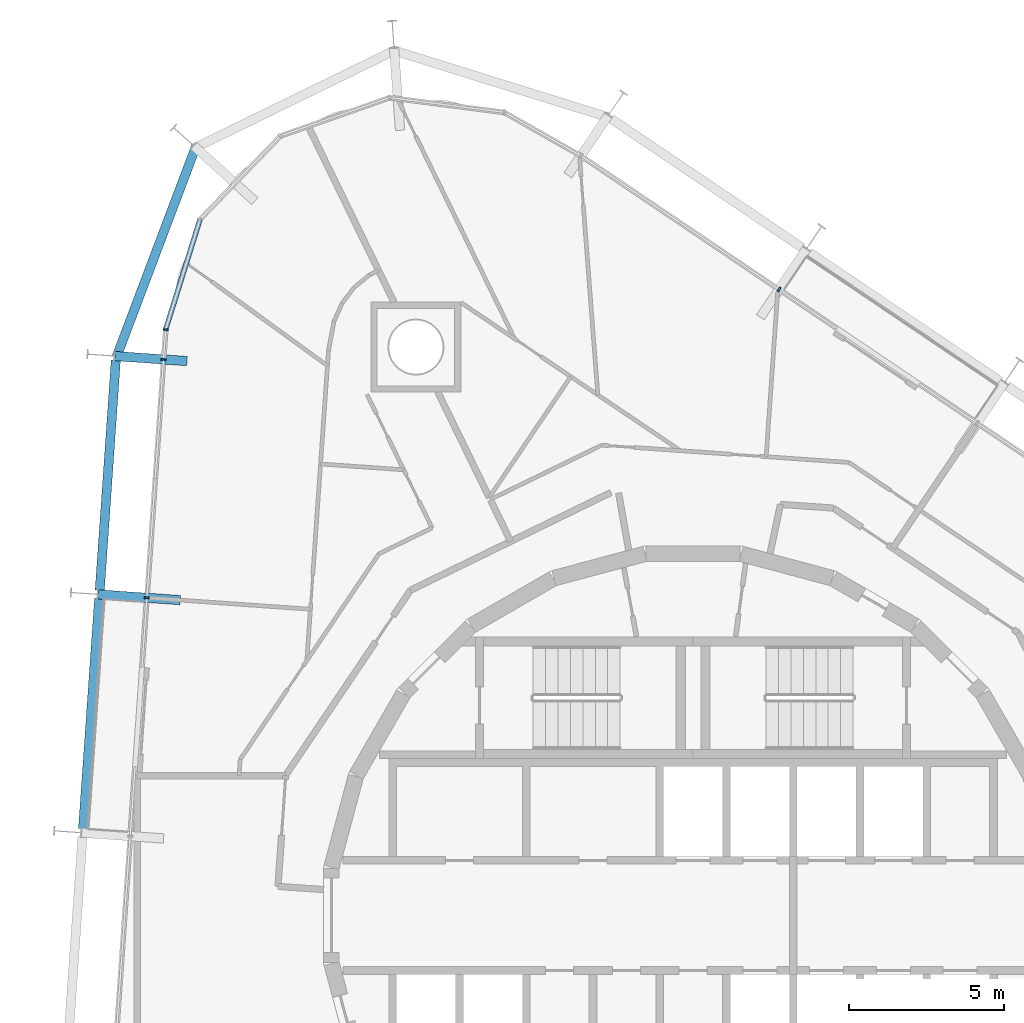
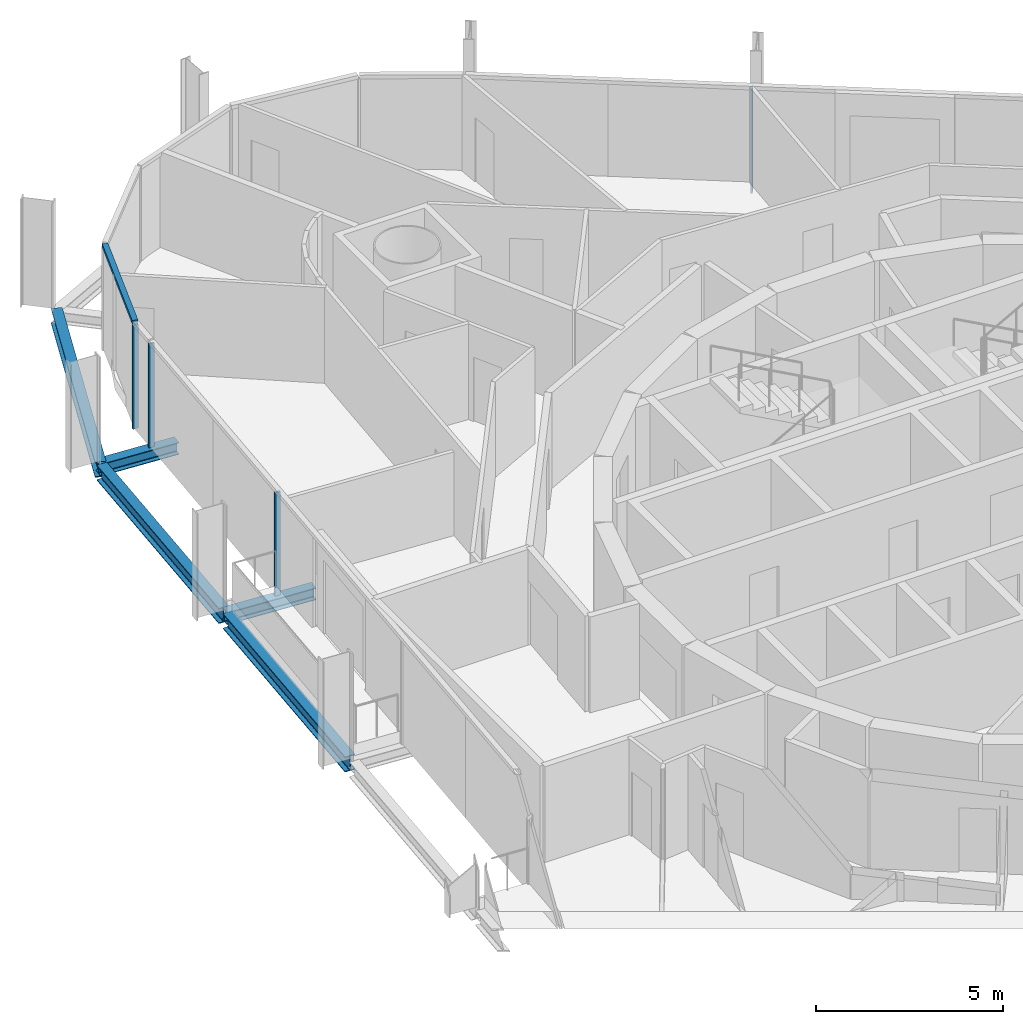
# One storey, part 6 of 17: 5 beams, 5 members, 3 elements without a shape of their own.
"""IFC4 building model written with IfcOpenShell, lengths in metres."""

from ifc_helpers import new_model, si_unit, direction, frame, origin, origin_2d, place, context, subcontext, project, spatial, rectangle, i_section, extrude, material, layer, layer_set, material_profile, profile_set, type_object, element, aggregate, save


model = new_model("IFC4")

# Units and contexts
model_context = context("Model", 3, precision=1e-05, world=origin(), true_north=direction((0.0, 1.0)))
body_context = subcontext(model_context, "Body", "Model", "MODEL_VIEW")
ifc_project = project(units=[si_unit("LENGTHUNIT", "METRE"), si_unit("AREAUNIT", "SQUARE_METRE"), si_unit("VOLUMEUNIT", "CUBIC_METRE"), si_unit("PLANEANGLEUNIT", "RADIAN"), si_unit("MASSUNIT", "GRAM", prefix="KILO")], contexts=[model_context])

# Site, building, storey
site_placement = place(None, origin())
site = spatial("IfcSite", under=ifc_project, at=site_placement, CompositionType="ELEMENT")
building_placement = place(site_placement, origin())
building = spatial("IfcBuilding", under=site, at=building_placement, Name="Spindle Arch Residences", CompositionType="ELEMENT")
storey_placement = place(building_placement, frame((0.0, 0.0, 191.89990234375)))
storey = spatial("IfcBuildingStorey", under=building, at=storey_placement, Name="L48", CompositionType="ELEMENT", Elevation=191.89990234375)

# Curtain wall, member
ifc_material_1 = material(Name="Aluminium bronze unitised frame with tinted glass", Category="aluminium")
ifc_layer_1 = layer(ifc_material_1, 0.159912109375)
ifc_layer_set_1 = layer_set([ifc_layer_1], Name="CW-C typical residential unitised wall")
curtain_wall_type_1 = type_object("IfcCurtainWallType", Name="CW-C typical residential unitised wall", PredefinedType="NOTDEFINED", material=ifc_layer_set_1)
curtain_wall_1_placement = place(storey_placement, origin())
curtain_wall_1 = element("IfcCurtainWall", 1, at=curtain_wall_1_placement, inside=storey, type_object=curtain_wall_type_1, Name="CW-C L48 run 2", PredefinedType="NOTDEFINED")
ifc_material_2 = material(Name="Aluminium bronze anodised mullion", Category="aluminium")
ifc_material_profile_1 = material_profile(ifc_material_2, rectangle(XDim=0.159912109375, YDim=0.06005859375, at=origin_2d()), Name="MU 60x160")
ifc_profile_set_1 = profile_set([ifc_material_profile_1], Name="Aluminium bronze anodised mullion")
member_type_1 = type_object("IfcMemberType", Name="Bronze mullion 60x160", PredefinedType="MULLION", material=ifc_profile_set_1)
member_1_placement = place(storey_placement, frame((2.769775390625, 20.158203125, -0.3798828125), z_axis=(0.0, 0.0, 1.0), x_axis=(-0.559192903471, -0.829037572555, 0.0)))
member_1 = element("IfcMember", 2, at=member_1_placement, type_object=member_type_1, Name="CW-C mullion 08", PredefinedType="MULLION", context=body_context, shape_type="SweptSolid", body=[
    extrude(rectangle(XDim=0.159912109375, YDim=0.06005859375, at=origin_2d()), origin(), (0.0, 0.0, 1.0), 3.3798828125),
])
aggregate(curtain_wall_1, [member_1])

ifc_material_3 = material(Name="Aluminium bronze unitised frame with tinted glass", Category="aluminium")
ifc_layer_2 = layer(ifc_material_3, 0.159912109375)
ifc_layer_set_2 = layer_set([ifc_layer_2], Name="CW-D corner wall on the fillet arcs")
curtain_wall_type_2 = type_object("IfcCurtainWallType", Name="CW-D corner wall on the fillet arcs", PredefinedType="NOTDEFINED", material=ifc_layer_set_2)
curtain_wall_2_placement = place(storey_placement, origin())
curtain_wall_2 = element("IfcCurtainWall", 3, at=curtain_wall_2_placement, inside=storey, type_object=curtain_wall_type_2, Name="CW-D L48 run 3", PredefinedType="NOTDEFINED")
member_2_placement = place(storey_placement, frame((-16.986328125, 18.864501953125, -0.3798828125), z_axis=(0.0, 0.0, 1.0), x_axis=(0.99756405026, -0.069756473744, 0.0)))
member_2 = element("IfcMember", 4, at=member_2_placement, type_object=member_type_1, Name="CW-D mullion 05", PredefinedType="MULLION", context=body_context, shape_type="SweptSolid", body=[
    extrude(rectangle(XDim=0.159912109375, YDim=0.06005859375, at=origin_2d()), origin(), (0.0, 0.0, 1.0), 3.3798828125),
])

# Curtain wall, members
curtain_wall_3_placement = place(storey_placement, origin())
curtain_wall_3 = element("IfcCurtainWall", 5, at=curtain_wall_3_placement, inside=storey, type_object=curtain_wall_type_1, Name="CW-C L48 run 4", PredefinedType="NOTDEFINED")
member_3_placement = place(storey_placement, frame((-17.053466796875, 17.90283203125, -0.3798828125), z_axis=(0.0, 0.0, 1.0), x_axis=(0.99756405026, -0.069756473744, 0.0)))
member_3 = element("IfcMember", 6, at=member_3_placement, type_object=member_type_1, Name="CW-C mullion 12", PredefinedType="MULLION", context=body_context, shape_type="SweptSolid", body=[
    extrude(rectangle(XDim=0.159912109375, YDim=0.06005859375, at=origin_2d()), origin(), (0.0, 0.0, 1.0), 3.3798828125),
])
member_4_placement = place(storey_placement, frame((-17.590087890625, 10.22802734375, -0.3798828125), z_axis=(0.0, 0.0, 1.0), x_axis=(0.99756405026, -0.069756473744, 0.0)))
member_4 = element("IfcMember", 7, at=member_4_placement, type_object=member_type_1, Name="CW-C mullion 13", PredefinedType="MULLION", context=body_context, shape_type="SweptSolid", body=[
    extrude(rectangle(XDim=0.159912109375, YDim=0.06005859375, at=origin_2d()), origin(), (0.0, 0.0, 1.0), 3.3798828125),
])
aggregate(curtain_wall_3, [member_3, member_4])

# Member
ifc_material_4 = material(Name="Aluminium bronze anodised transom", Category="aluminium")
ifc_material_profile_2 = material_profile(ifc_material_4, rectangle(XDim=0.159912109375, YDim=0.1201171875, at=origin_2d()), Name="TR 120x160")
ifc_profile_set_2 = profile_set([ifc_material_profile_2], Name="Aluminium bronze anodised transom")
member_type_2 = type_object("IfcMemberType", Name="Bronze transom 120x160", PredefinedType="USERDEFINED", material=ifc_profile_set_2)
member_5_placement = place(storey_placement, frame((-15.884765625, 22.393310546875, 3.06005859375), z_axis=(-0.297952730594, -0.95458062537, 0.0), x_axis=(0.95458062537, -0.297952730594, 0.0)))
member_5 = element("IfcMember", 8, at=member_5_placement, type_object=member_type_2, Name="CW-D transom 04", ObjectType="TRANSOM", PredefinedType="USERDEFINED", context=body_context, shape_type="SweptSolid", body=[
    extrude(rectangle(XDim=0.159912109375, YDim=0.1201171875, at=origin_2d()), origin(), (0.0, 0.0, 1.0), 3.666748046875),
])

aggregate(curtain_wall_2, [member_5, member_2])

# Beams
ifc_material_5 = material(Name="Steel S460ML, intumescent coating R 120", Category="steel")
ifc_material_profile_3 = material_profile(ifc_material_5, i_section(OverallWidth=0.300048828125, OverallDepth=0.5, WebThickness=0.014404296875, FlangeThickness=0.028076171875, FilletRadius=0.027099609375, at=origin_2d()), Name="HEB 500")
ifc_profile_set_3 = profile_set([ifc_material_profile_3], Name="Steel S460ML, intumescent coating R 120")
beam_type_1 = type_object("IfcBeamType", Name="Exoskeleton edge beam HEB 500", PredefinedType="BEAM", material=ifc_profile_set_3)
beam_1_placement = place(storey_placement, frame((-16.005859375, 24.768310546875, -0.6298828125), z_axis=(-0.353273753707, -0.935519991738, 0.0), x_axis=(0.935519991738, -0.353273753707, 0.0)))
element("IfcBeam", 9, at=beam_1_placement, inside=storey, type_object=beam_type_1, Name="Exoskeleton edge beam 12", PredefinedType="BEAM", context=body_context, shape_type="SweptSolid", body=[
    extrude(i_section(OverallWidth=0.300048828125, OverallDepth=0.5, WebThickness=0.014404296875, FlangeThickness=0.028076171875, FilletRadius=0.027099609375, at=origin_2d()), origin(), (0.0, 0.0, 1.0), 7.26318359375),
])
beam_2_placement = place(storey_placement, frame((-18.5888671875, 17.8798828125, -0.6298828125), z_axis=(-0.069757879566, -0.997563951954, 0.0), x_axis=(0.997563951954, -0.069757879566, 0.0)))
element("IfcBeam", 10, at=beam_2_placement, inside=storey, type_object=beam_type_1, Name="Exoskeleton edge beam 13", PredefinedType="BEAM", context=body_context, shape_type="SweptSolid", body=[
    extrude(i_section(OverallWidth=0.300048828125, OverallDepth=0.5, WebThickness=0.014404296875, FlangeThickness=0.028076171875, FilletRadius=0.027099609375, at=origin_2d()), origin(), (0.0, 0.0, 1.0), 7.43359375),
])
beam_3_placement = place(storey_placement, frame((-19.12548828125, 10.205078125, -0.6298828125), z_axis=(-0.069755594186, -0.997564111764, 0.0), x_axis=(0.997564111764, -0.069755594186, 0.0)))
element("IfcBeam", 11, at=beam_3_placement, inside=storey, type_object=beam_type_1, Name="Exoskeleton edge beam 14", PredefinedType="BEAM", context=body_context, shape_type="SweptSolid", body=[
    extrude(i_section(OverallWidth=0.300048828125, OverallDepth=0.5, WebThickness=0.014404296875, FlangeThickness=0.028076171875, FilletRadius=0.027099609375, at=origin_2d()), origin(), (0.0, 0.0, 1.0), 7.433837890625),
])
ifc_material_6 = material(Name="Steel S460ML, intumescent coating R 120", Category="steel")
ifc_material_profile_4 = material_profile(ifc_material_6, i_section(OverallWidth=0.300048828125, OverallDepth=0.389892578125, WebThickness=0.010986328125, FlangeThickness=0.01904296875, FilletRadius=0.027099609375, at=origin_2d()), Name="HEA 400")
ifc_profile_set_4 = profile_set([ifc_material_profile_4], Name="Steel S460ML, intumescent coating R 120")
beam_type_2 = type_object("IfcBeamType", Name="Floor outrigger HEA 400", PredefinedType="BEAM", material=ifc_profile_set_4)
beam_4_placement = place(storey_placement, frame((-18.61962890625, 18.012451171875, -0.574951171875), z_axis=(0.997565099834, -0.069741462509, 0.0), x_axis=(0.069741462509, 0.997565099834, 0.0)))
element("IfcBeam", 12, at=beam_4_placement, inside=storey, type_object=beam_type_2, Name="Floor outrigger 13", PredefinedType="BEAM", context=body_context, shape_type="SweptSolid", body=[
    extrude(i_section(OverallWidth=0.300048828125, OverallDepth=0.389892578125, WebThickness=0.010986328125, FlangeThickness=0.01904296875, FilletRadius=0.027099609375, at=origin_2d()), origin(), (0.0, 0.0, 1.0), 2.327880859375),
])
beam_5_placement = place(storey_placement, frame((-19.15625, 10.33740234375, -0.574951171875), z_axis=(0.997565124092, -0.069741115528, 0.0), x_axis=(0.069741115528, 0.997565124092, 0.0)))
element("IfcBeam", 13, at=beam_5_placement, inside=storey, type_object=beam_type_2, Name="Floor outrigger 14", PredefinedType="BEAM", context=body_context, shape_type="SweptSolid", body=[
    extrude(i_section(OverallWidth=0.300048828125, OverallDepth=0.389892578125, WebThickness=0.010986328125, FlangeThickness=0.01904296875, FilletRadius=0.027099609375, at=origin_2d()), origin(), (0.0, 0.0, 1.0), 2.64990234375),
])

save(model, "model.ifc")
